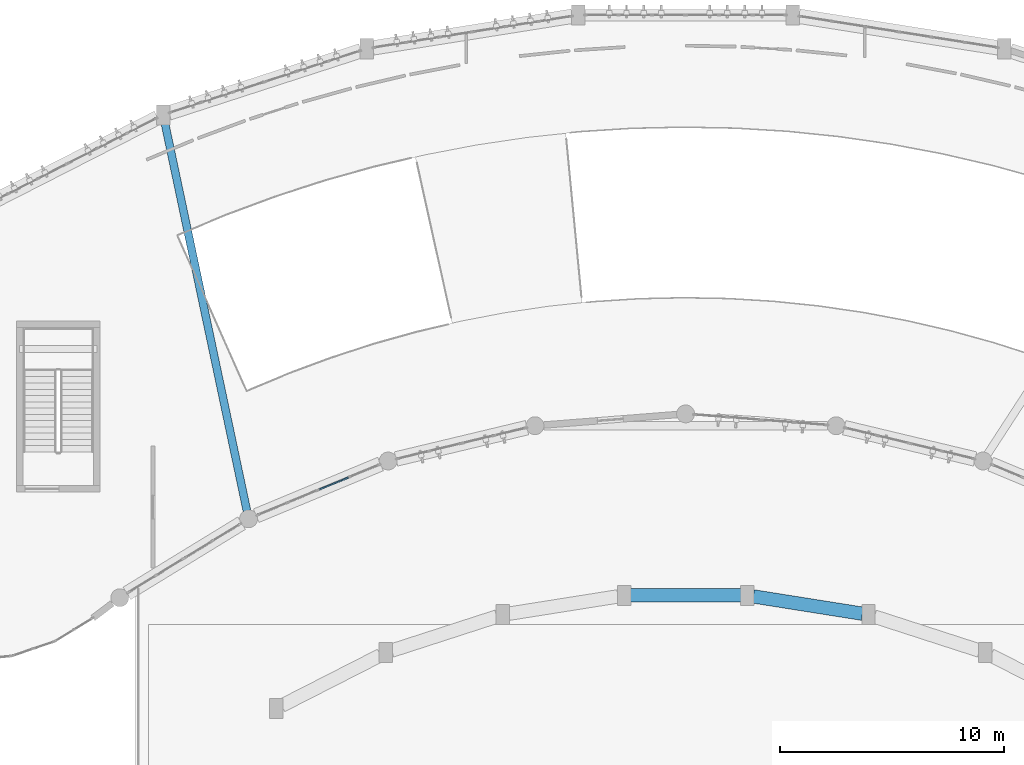
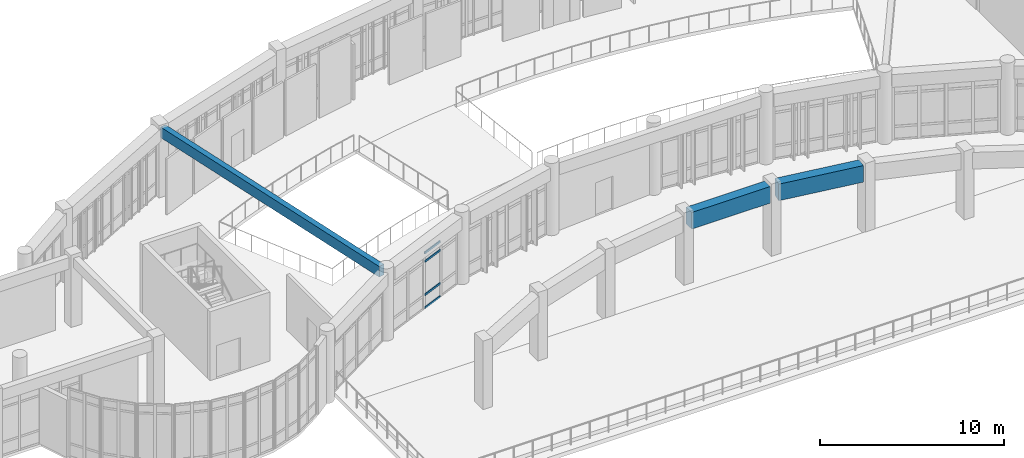
# One storey, part 13 of 65: 4 members, 3 beams, 1 element without a shape of its own.
"""IFC4 building model written with IfcOpenShell, lengths in metres."""

from ifc_helpers import new_model, si_unit, direction, frame, origin, origin_2d, place, context, subcontext, project, spatial, rectangle, extrude, material, layer, layer_set, material_profile, profile_set, type_object, element, aggregate, save


model = new_model("IFC4")

# Units and contexts
model_context = context("Model", 3, precision=1e-05, world=origin(), true_north=direction((0.0, 1.0)))
body_context = subcontext(model_context, "Body", "Model", "MODEL_VIEW")
ifc_project = project(units=[si_unit("LENGTHUNIT", "METRE"), si_unit("AREAUNIT", "SQUARE_METRE"), si_unit("VOLUMEUNIT", "CUBIC_METRE"), si_unit("PLANEANGLEUNIT", "RADIAN"), si_unit("MASSUNIT", "GRAM", prefix="KILO")], contexts=[model_context])

# Site, building, storey
site_placement = place(None, origin())
site = spatial("IfcSite", under=ifc_project, at=site_placement, CompositionType="ELEMENT")
building_placement = place(site_placement, origin())
building = spatial("IfcBuilding", under=site, at=building_placement, Name="Miralva Faculty of Natural Sciences", CompositionType="ELEMENT")
storey_placement = place(building_placement, frame((0.0, 0.0, 10.199951171875)))
storey = spatial("IfcBuildingStorey", under=building, at=storey_placement, Name="L02", CompositionType="ELEMENT", Elevation=10.199951171875)

# Beams
ifc_material_1 = material(Name="Concrete C40/50", Category="concrete")
ifc_material_profile_1 = material_profile(ifc_material_1, rectangle(XDim=0.35009765625, YDim=0.699951171875, at=origin_2d()), Name="RC 350x700")
ifc_profile_set_1 = profile_set([ifc_material_profile_1], Name="Concrete C40/50")
beam_type_1 = type_object("IfcBeamType", Name="BM-B04", PredefinedType="BEAM", material=ifc_profile_set_1)
beam_1_placement = place(storey_placement, frame((70.40380859375, 17.669921875, 4.2099609375), z_axis=(-0.207051718989, 0.978329998346, 0.0), x_axis=(-0.978329998346, -0.207051718989, 0.0)))
element("IfcBeam", 1, at=beam_1_placement, inside=storey, type_object=beam_type_1, Name="Swept-arc radial girder L02-8", PredefinedType="BEAM", context=body_context, shape_type="SweptSolid", body=[
    extrude(rectangle(XDim=0.35009765625, YDim=0.699951171875, at=origin_2d()), origin(), (0.0, 0.0, 1.0), 17.805908203125),
])
ifc_material_profile_2 = material_profile(ifc_material_1, rectangle(XDim=0.60009765625, YDim=1.10009765625, at=origin_2d()), Name="RC 600x1100")
ifc_profile_set_2 = profile_set([ifc_material_profile_2], Name="Concrete C40/50")
beam_type_2 = type_object("IfcBeamType", Name="BM-TG01", PredefinedType="BEAM", material=ifc_profile_set_2)
beam_2_placement = place(storey_placement, frame((97.8974609375, 13.0732421875, 4.0), z_axis=(-0.987645980672, 0.156701681112, 0.0), x_axis=(-0.156701681112, -0.987645980672, 0.0)))
element("IfcBeam", 2, at=beam_2_placement, inside=storey, type_object=beam_type_2, Name="Curved chord girder SHIN L02-3", PredefinedType="BEAM", context=body_context, shape_type="SweptSolid", body=[
    extrude(rectangle(XDim=0.60009765625, YDim=1.10009765625, at=origin_2d()), origin(), (0.0, 0.0, 1.0), 4.935791015625),
])
beam_3_placement = place(storey_placement, frame((92.47412109375, 13.889892578125, 4.0), z_axis=(-1.0, 0.0, 0.0), x_axis=(0.0, -1.0, 0.0)))
element("IfcBeam", 3, at=beam_3_placement, inside=storey, type_object=beam_type_2, Name="Curved chord girder SHIN L02-4", PredefinedType="BEAM", context=body_context, shape_type="SweptSolid", body=[
    extrude(rectangle(XDim=0.60009765625, YDim=1.10009765625, at=origin_2d()), origin(), (0.0, 0.0, 1.0), 4.9482421875),
])

# Curtain wall, members
ifc_material_2 = material(Name="Laminated solar-control glass", Category="glass")
ifc_layer = layer(ifc_material_2, 0.179931640625, Name="CW-ARC-L01")
ifc_layer_set = layer_set([ifc_layer], Name="Laminated solar-control glass")
curtain_wall_type = type_object("IfcCurtainWallType", Name="CW-ARC-L01", PredefinedType="USERDEFINED", material=ifc_layer_set)
curtain_wall_placement = place(storey_placement, origin())
curtain_wall = element("IfcCurtainWall", 4, at=curtain_wall_placement, inside=storey, type_object=curtain_wall_type, Name="Curtain wall CW-02 L02-66", ObjectType="UNITISED CURTAIN WALL", PredefinedType="USERDEFINED")
ifc_material_3 = material(Name="Anodised aluminium", Category="aluminium")
ifc_material_profile_3 = material_profile(ifc_material_3, rectangle(XDim=0.06494140625, YDim=0.139892578125, at=origin_2d()), Name="TRANSOM 65x140")
ifc_profile_set_3 = profile_set([ifc_material_profile_3], Name="Anodised aluminium")
member_type = type_object("IfcMemberType", Name="CW-T01", PredefinedType="USERDEFINED", material=ifc_profile_set_3)
member_1_placement = place(storey_placement, frame((73.650634765625, 18.62744140625, 0.032470703125), z_axis=(0.923883575944, 0.382673670509, 0.0), x_axis=(-0.382673670509, 0.923883575944, 0.0)))
member_1 = element("IfcMember", 5, at=member_1_placement, type_object=member_type, Name="CW-02 transom 1.1", ObjectType="TRANSOM", PredefinedType="USERDEFINED", context=body_context, shape_type="SweptSolid", body=[
    extrude(rectangle(XDim=0.06494140625, YDim=0.139892578125, at=origin_2d()), origin(), (0.0, 0.0, 1.0), 1.384521484375),
])
member_2_placement = place(storey_placement, frame((73.650634765625, 18.62744140625, 0.900146484375), z_axis=(0.923883575944, 0.382673670509, 0.0), x_axis=(-0.382673670509, 0.923883575944, 0.0)))
member_2 = element("IfcMember", 6, at=member_2_placement, type_object=member_type, Name="CW-02 transom 1.2", ObjectType="TRANSOM", PredefinedType="USERDEFINED", context=body_context, shape_type="SweptSolid", body=[
    extrude(rectangle(XDim=0.06494140625, YDim=0.139892578125, at=origin_2d()), origin(), (0.0, 0.0, 1.0), 1.384521484375),
])
member_3_placement = place(storey_placement, frame((73.650634765625, 18.62744140625, 3.10498046875), z_axis=(0.923883575944, 0.382673670509, 0.0), x_axis=(-0.382673670509, 0.923883575944, 0.0)))
member_3 = element("IfcMember", 7, at=member_3_placement, type_object=member_type, Name="CW-02 transom 1.3", ObjectType="TRANSOM", PredefinedType="USERDEFINED", context=body_context, shape_type="SweptSolid", body=[
    extrude(rectangle(XDim=0.06494140625, YDim=0.139892578125, at=origin_2d()), origin(), (0.0, 0.0, 1.0), 1.384521484375),
])
member_4_placement = place(storey_placement, frame((73.650634765625, 18.62744140625, 3.672607421875), z_axis=(0.923883575944, 0.382673670509, 0.0), x_axis=(-0.382673670509, 0.923883575944, 0.0)))
member_4 = element("IfcMember", 8, at=member_4_placement, type_object=member_type, Name="CW-02 transom 1.4", ObjectType="TRANSOM", PredefinedType="USERDEFINED", context=body_context, shape_type="SweptSolid", body=[
    extrude(rectangle(XDim=0.06494140625, YDim=0.139892578125, at=origin_2d()), origin(), (0.0, 0.0, 1.0), 1.384521484375),
])
aggregate(curtain_wall, [member_1, member_2, member_3, member_4])

save(model, "model.ifc")
